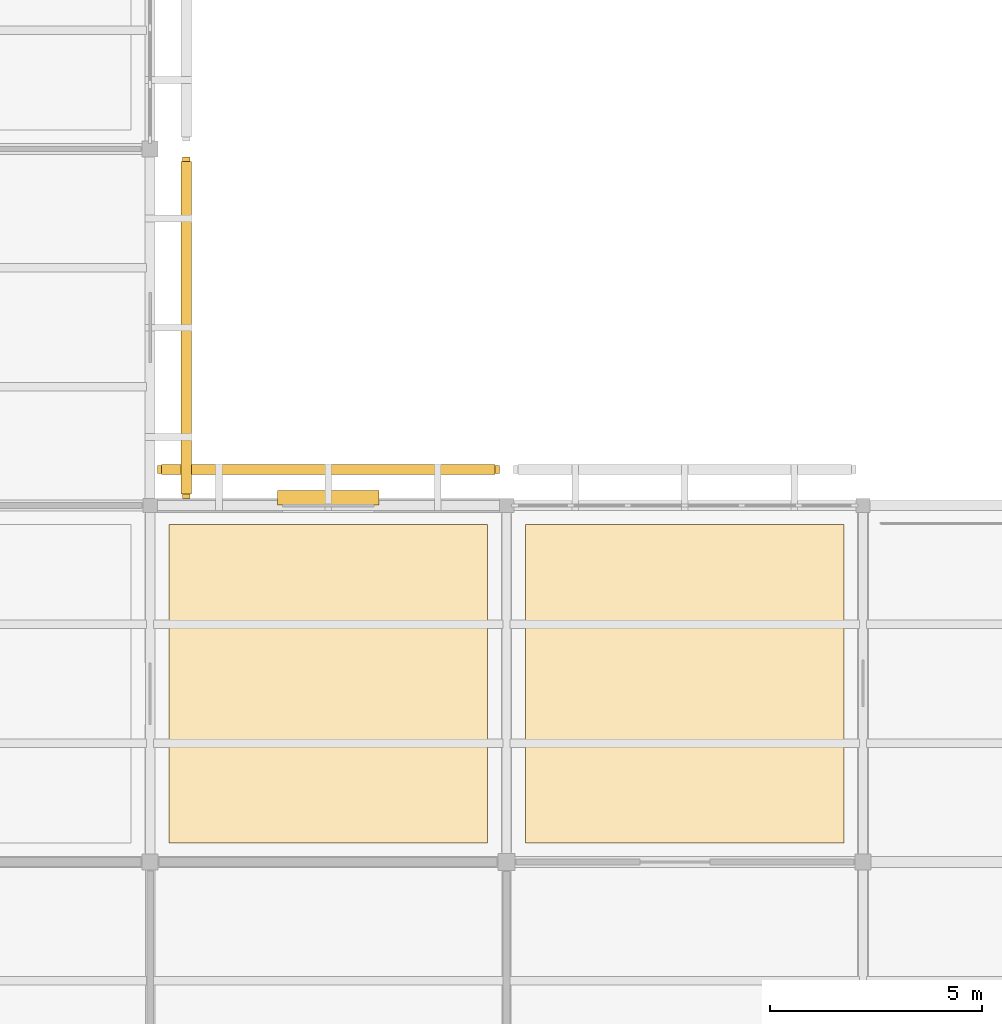
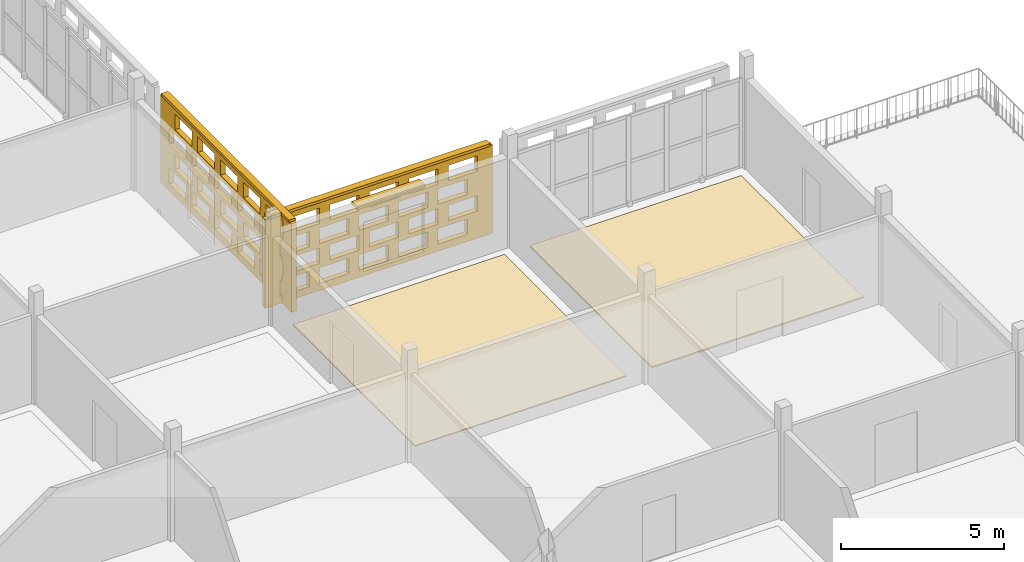
# One storey, part 104 of 140: 4 coverings, 3 shading devices, 40 openings.
"""IFC4 building model written with IfcOpenShell, lengths in metres."""

from ifc_helpers import new_model, si_unit, direction, frame, frame_2d, origin, origin_2d, place, context, subcontext, project, spatial, rectangle, extrude, material, layer, layer_set, type_object, element, save


model = new_model("IFC4")

# Units and contexts
model_context = context("Model", 3, precision=1e-05, world=origin(), true_north=direction((0.0, 1.0)))
body_context = subcontext(model_context, "Body", "Model", "MODEL_VIEW")
ifc_project = project(units=[si_unit("LENGTHUNIT", "METRE"), si_unit("AREAUNIT", "SQUARE_METRE"), si_unit("VOLUMEUNIT", "CUBIC_METRE"), si_unit("PLANEANGLEUNIT", "RADIAN"), si_unit("MASSUNIT", "GRAM", prefix="KILO")], contexts=[model_context])

# Site, building, storey
site_placement = place(None, origin())
site = spatial("IfcSite", under=ifc_project, at=site_placement, CompositionType="ELEMENT")
building_placement = place(site_placement, origin())
building = spatial("IfcBuilding", under=site, at=building_placement, Name="Varnapada Polytechnic", CompositionType="ELEMENT")
storey_placement = place(building_placement, frame((0.0, 0.0, 13.800048828125)))
storey = spatial("IfcBuildingStorey", under=building, at=storey_placement, Name="L03", CompositionType="ELEMENT", Elevation=13.800048828125)

# Coverings
ifc_material_1 = material(Name="End-Grain Timber Studio Block Flooring", Category="wood")
ifc_layer_1 = layer(ifc_material_1, 0.054931640625)
ifc_layer_set_1 = layer_set([ifc_layer_1], Name="End-Grain Timber Studio Block Flooring")
covering_type_1 = type_object("IfcCoveringType", Name="Floor Finish FLR-04", PredefinedType="FLOORING", material=ifc_layer_set_1)
covering_1_placement = place(storey_placement, frame((46.199951171875, 37.800048828125, 0.0), z_axis=(0.0, 0.0, 1.0), x_axis=(1.0, 0.0, 0.0)))
element("IfcCovering", 1, at=covering_1_placement, inside=storey, type_object=covering_type_1, Name="L03 floor finish panel (6,5)", PredefinedType="FLOORING", context=body_context, shape_type="SweptSolid", body=[
    extrude(rectangle(XDim=7.5, YDim=7.5, at=origin_2d()), origin(), (0.0, 0.0, 1.0), 0.054931640625),
])
ifc_material_2 = material(Name="Acoustic Rubber Seminar Flooring")
ifc_layer_2 = layer(ifc_material_2, 0.0400390625)
ifc_layer_set_2 = layer_set([ifc_layer_2], Name="Acoustic Rubber Seminar Flooring")
covering_type_2 = type_object("IfcCoveringType", Name="Floor Finish FLR-06", PredefinedType="FLOORING", material=ifc_layer_set_2)
covering_2_placement = place(storey_placement, frame((37.800048828125, 37.800048828125, 0.0), z_axis=(0.0, 0.0, 1.0), x_axis=(1.0, 0.0, 0.0)))
element("IfcCovering", 2, at=covering_2_placement, inside=storey, type_object=covering_type_2, Name="L03 floor finish panel (5,5)", PredefinedType="FLOORING", context=body_context, shape_type="SweptSolid", body=[
    extrude(rectangle(XDim=7.5, YDim=7.5, at=origin_2d()), origin(), (0.0, 0.0, 1.0), 0.0400390625),
])

# Shading device
ifc_material_3 = material(Name="Anodised aluminium", Category="aluminium")
ifc_layer_3 = layer(ifc_material_3, 0.35009765625)
ifc_layer_set_3 = layer_set([ifc_layer_3], Name="Anodised aluminium")
shading_device_type_1 = type_object("IfcShadingDeviceType", Name="Solar Louvre LVR-01", PredefinedType="JALOUSIE", material=ifc_layer_set_3)
shading_device_1_placement = place(storey_placement, frame((37.800048828125, 42.179931640625, 3.159912109375), z_axis=(0.0, 0.0, 1.0), x_axis=(1.0, 0.0, 0.0)))
element("IfcShadingDevice", 3, at=shading_device_1_placement, inside=storey, type_object=shading_device_type_1, Name="L03 aluminium sun louvre 34", PredefinedType="JALOUSIE", context=body_context, shape_type="SweptSolid", body=[
    extrude(rectangle(XDim=2.39990234375, YDim=0.340087890625, at=origin_2d()), origin(), (0.0, 0.0, 1.0), 0.1201171875),
])

# Covering, openings
ifc_material_4 = material(Name="Earth-toned architectural terracotta screen block", Category="masonry")
ifc_layer_4 = layer(ifc_material_4, 0.1201171875)
ifc_layer_set_4 = layer_set([ifc_layer_4], Name="Earth-toned architectural terracotta screen block")
covering_type_3 = type_object("IfcCoveringType", Name="Terracotta Screen Cladding CLD-01", PredefinedType="CLADDING", material=ifc_layer_set_4)
covering_3_placement = place(storey_placement, frame((34.449951171875, 50.2099609375, 0.0), z_axis=(0.0, 0.0, 1.0), x_axis=(0.0, -1.0, 0.0)))
covering_3 = element("IfcCovering", 4, at=covering_3_placement, inside=storey, type_object=covering_type_3, Name="L03 perforated terracotta block screen (22)", PredefinedType="CLADDING", context=body_context, shape_type="SweptSolid", body=[
    extrude(rectangle(XDim=8.0400390625, YDim=0.179931640625, at=frame_2d((4.02001953125, 0.0))), origin(), (0.0, 0.0, 1.0), 3.320068359375),
])
opening_1_placement = place(covering_3_placement, frame((0.52001953125, 0.0, 0.265625)))
element("IfcOpeningElement", 5, at=opening_1_placement, cuts=covering_3, Name="Screen perforation TBS-L03-021.1", PredefinedType="OPENING", context=body_context, shape_type="SweptSolid", body=[
    extrude(rectangle(XDim=1.0400390625, YDim=0.5810546875, at=frame_2d((0.52001953125, 0.29052734375))), frame((0.0, 0.099853515625, 0.0), z_axis=(0.0, -1.0, 0.0), x_axis=(1.0, 0.0, 0.0)), (0.0, 0.0, 1.0), 0.199951171875),
])
opening_2_placement = place(covering_3_placement, frame((1.919921875, 0.0, 0.265625)))
element("IfcOpeningElement", 6, at=opening_2_placement, cuts=covering_3, Name="Screen perforation TBS-L03-021.2", PredefinedType="OPENING", context=body_context, shape_type="SweptSolid", body=[
    extrude(rectangle(XDim=1.0400390625, YDim=0.5810546875, at=frame_2d((0.52001953125, 0.29052734375))), frame((0.0, 0.099853515625, 0.0), z_axis=(0.0, -1.0, 0.0), x_axis=(1.0, 0.0, 0.0)), (0.0, 0.0, 1.0), 0.199951171875),
])
opening_3_placement = place(covering_3_placement, frame((3.320068359375, 0.0, 0.265625)))
element("IfcOpeningElement", 7, at=opening_3_placement, cuts=covering_3, Name="Screen perforation TBS-L03-021.3", PredefinedType="OPENING", context=body_context, shape_type="SweptSolid", body=[
    extrude(rectangle(XDim=1.0400390625, YDim=0.5810546875, at=frame_2d((0.52001953125, 0.29052734375))), frame((0.0, 0.099853515625, 0.0), z_axis=(0.0, -1.0, 0.0), x_axis=(1.0, 0.0, 0.0)), (0.0, 0.0, 1.0), 0.199951171875),
])
opening_4_placement = place(covering_3_placement, frame((4.719970703125, 0.0, 0.265625)))
element("IfcOpeningElement", 8, at=opening_4_placement, cuts=covering_3, Name="Screen perforation TBS-L03-021.4", PredefinedType="OPENING", context=body_context, shape_type="SweptSolid", body=[
    extrude(rectangle(XDim=1.0400390625, YDim=0.5810546875, at=frame_2d((0.52001953125, 0.29052734375))), frame((0.0, 0.099853515625, 0.0), z_axis=(0.0, -1.0, 0.0), x_axis=(1.0, 0.0, 0.0)), (0.0, 0.0, 1.0), 0.199951171875),
])
opening_5_placement = place(covering_3_placement, frame((6.1201171875, 0.0, 0.265625)))
element("IfcOpeningElement", 9, at=opening_5_placement, cuts=covering_3, Name="Screen perforation TBS-L03-021.5", PredefinedType="OPENING", context=body_context, shape_type="SweptSolid", body=[
    extrude(rectangle(XDim=1.0400390625, YDim=0.5810546875, at=frame_2d((0.52001953125, 0.29052734375))), frame((0.0, 0.099853515625, 0.0), z_axis=(0.0, -1.0, 0.0), x_axis=(1.0, 0.0, 0.0)), (0.0, 0.0, 1.0), 0.199951171875),
])
opening_6_placement = place(covering_3_placement, frame((0.8798828125, 0.0, 1.0126953125)))
element("IfcOpeningElement", 10, at=opening_6_placement, cuts=covering_3, Name="Screen perforation TBS-L03-021.6", PredefinedType="OPENING", context=body_context, shape_type="SweptSolid", body=[
    extrude(rectangle(XDim=1.0400390625, YDim=0.5810546875, at=frame_2d((0.52001953125, 0.29052734375))), frame((0.0, 0.099853515625, 0.0), z_axis=(0.0, -1.0, 0.0), x_axis=(1.0, 0.0, 0.0)), (0.0, 0.0, 1.0), 0.199951171875),
])
opening_7_placement = place(covering_3_placement, frame((2.280029296875, 0.0, 1.0126953125)))
element("IfcOpeningElement", 11, at=opening_7_placement, cuts=covering_3, Name="Screen perforation TBS-L03-021.7", PredefinedType="OPENING", context=body_context, shape_type="SweptSolid", body=[
    extrude(rectangle(XDim=1.0400390625, YDim=0.5810546875, at=frame_2d((0.52001953125, 0.29052734375))), frame((0.0, 0.099853515625, 0.0), z_axis=(0.0, -1.0, 0.0), x_axis=(1.0, 0.0, 0.0)), (0.0, 0.0, 1.0), 0.199951171875),
])
opening_8_placement = place(covering_3_placement, frame((3.679931640625, 0.0, 1.0126953125)))
element("IfcOpeningElement", 12, at=opening_8_placement, cuts=covering_3, Name="Screen perforation TBS-L03-021.8", PredefinedType="OPENING", context=body_context, shape_type="SweptSolid", body=[
    extrude(rectangle(XDim=1.0400390625, YDim=0.5810546875, at=frame_2d((0.52001953125, 0.29052734375))), frame((0.0, 0.099853515625, 0.0), z_axis=(0.0, -1.0, 0.0), x_axis=(1.0, 0.0, 0.0)), (0.0, 0.0, 1.0), 0.199951171875),
])
opening_9_placement = place(covering_3_placement, frame((5.080078125, 0.0, 1.0126953125)))
element("IfcOpeningElement", 13, at=opening_9_placement, cuts=covering_3, Name="Screen perforation TBS-L03-021.9", PredefinedType="OPENING", context=body_context, shape_type="SweptSolid", body=[
    extrude(rectangle(XDim=1.0400390625, YDim=0.5810546875, at=frame_2d((0.52001953125, 0.29052734375))), frame((0.0, 0.099853515625, 0.0), z_axis=(0.0, -1.0, 0.0), x_axis=(1.0, 0.0, 0.0)), (0.0, 0.0, 1.0), 0.199951171875),
])
opening_10_placement = place(covering_3_placement, frame((6.47998046875, 0.0, 1.0126953125)))
element("IfcOpeningElement", 14, at=opening_10_placement, cuts=covering_3, Name="Screen perforation TBS-L03-021.10", PredefinedType="OPENING", context=body_context, shape_type="SweptSolid", body=[
    extrude(rectangle(XDim=1.0400390625, YDim=0.5810546875, at=frame_2d((0.52001953125, 0.29052734375))), frame((0.0, 0.099853515625, 0.0), z_axis=(0.0, -1.0, 0.0), x_axis=(1.0, 0.0, 0.0)), (0.0, 0.0, 1.0), 0.199951171875),
])
opening_11_placement = place(covering_3_placement, frame((0.52001953125, 0.0, 1.759521484375)))
element("IfcOpeningElement", 15, at=opening_11_placement, cuts=covering_3, Name="Screen perforation TBS-L03-021.11", PredefinedType="OPENING", context=body_context, shape_type="SweptSolid", body=[
    extrude(rectangle(XDim=1.0400390625, YDim=0.5810546875, at=frame_2d((0.52001953125, 0.29052734375))), frame((0.0, 0.099853515625, 0.0), z_axis=(0.0, -1.0, 0.0), x_axis=(1.0, 0.0, 0.0)), (0.0, 0.0, 1.0), 0.199951171875),
])
opening_12_placement = place(covering_3_placement, frame((1.919921875, 0.0, 1.759521484375)))
element("IfcOpeningElement", 16, at=opening_12_placement, cuts=covering_3, Name="Screen perforation TBS-L03-021.12", PredefinedType="OPENING", context=body_context, shape_type="SweptSolid", body=[
    extrude(rectangle(XDim=1.0400390625, YDim=0.5810546875, at=frame_2d((0.52001953125, 0.29052734375))), frame((0.0, 0.099853515625, 0.0), z_axis=(0.0, -1.0, 0.0), x_axis=(1.0, 0.0, 0.0)), (0.0, 0.0, 1.0), 0.199951171875),
])
opening_13_placement = place(covering_3_placement, frame((3.320068359375, 0.0, 1.759521484375)))
element("IfcOpeningElement", 17, at=opening_13_placement, cuts=covering_3, Name="Screen perforation TBS-L03-021.13", PredefinedType="OPENING", context=body_context, shape_type="SweptSolid", body=[
    extrude(rectangle(XDim=1.0400390625, YDim=0.5810546875, at=frame_2d((0.52001953125, 0.29052734375))), frame((0.0, 0.099853515625, 0.0), z_axis=(0.0, -1.0, 0.0), x_axis=(1.0, 0.0, 0.0)), (0.0, 0.0, 1.0), 0.199951171875),
])
opening_14_placement = place(covering_3_placement, frame((4.719970703125, 0.0, 1.759521484375)))
element("IfcOpeningElement", 18, at=opening_14_placement, cuts=covering_3, Name="Screen perforation TBS-L03-021.14", PredefinedType="OPENING", context=body_context, shape_type="SweptSolid", body=[
    extrude(rectangle(XDim=1.0400390625, YDim=0.5810546875, at=frame_2d((0.52001953125, 0.29052734375))), frame((0.0, 0.099853515625, 0.0), z_axis=(0.0, -1.0, 0.0), x_axis=(1.0, 0.0, 0.0)), (0.0, 0.0, 1.0), 0.199951171875),
])
opening_15_placement = place(covering_3_placement, frame((6.1201171875, 0.0, 1.759521484375)))
element("IfcOpeningElement", 19, at=opening_15_placement, cuts=covering_3, Name="Screen perforation TBS-L03-021.15", PredefinedType="OPENING", context=body_context, shape_type="SweptSolid", body=[
    extrude(rectangle(XDim=1.0400390625, YDim=0.5810546875, at=frame_2d((0.52001953125, 0.29052734375))), frame((0.0, 0.099853515625, 0.0), z_axis=(0.0, -1.0, 0.0), x_axis=(1.0, 0.0, 0.0)), (0.0, 0.0, 1.0), 0.199951171875),
])
opening_16_placement = place(covering_3_placement, frame((0.8798828125, 0.0, 2.506591796875)))
element("IfcOpeningElement", 20, at=opening_16_placement, cuts=covering_3, Name="Screen perforation TBS-L03-021.16", PredefinedType="OPENING", context=body_context, shape_type="SweptSolid", body=[
    extrude(rectangle(XDim=1.0400390625, YDim=0.5810546875, at=frame_2d((0.52001953125, 0.29052734375))), frame((0.0, 0.099853515625, 0.0), z_axis=(0.0, -1.0, 0.0), x_axis=(1.0, 0.0, 0.0)), (0.0, 0.0, 1.0), 0.199951171875),
])
opening_17_placement = place(covering_3_placement, frame((2.280029296875, 0.0, 2.506591796875)))
element("IfcOpeningElement", 21, at=opening_17_placement, cuts=covering_3, Name="Screen perforation TBS-L03-021.17", PredefinedType="OPENING", context=body_context, shape_type="SweptSolid", body=[
    extrude(rectangle(XDim=1.0400390625, YDim=0.5810546875, at=frame_2d((0.52001953125, 0.29052734375))), frame((0.0, 0.099853515625, 0.0), z_axis=(0.0, -1.0, 0.0), x_axis=(1.0, 0.0, 0.0)), (0.0, 0.0, 1.0), 0.199951171875),
])
opening_18_placement = place(covering_3_placement, frame((3.679931640625, 0.0, 2.506591796875)))
element("IfcOpeningElement", 22, at=opening_18_placement, cuts=covering_3, Name="Screen perforation TBS-L03-021.18", PredefinedType="OPENING", context=body_context, shape_type="SweptSolid", body=[
    extrude(rectangle(XDim=1.0400390625, YDim=0.5810546875, at=frame_2d((0.52001953125, 0.29052734375))), frame((0.0, 0.099853515625, 0.0), z_axis=(0.0, -1.0, 0.0), x_axis=(1.0, 0.0, 0.0)), (0.0, 0.0, 1.0), 0.199951171875),
])
opening_19_placement = place(covering_3_placement, frame((5.080078125, 0.0, 2.506591796875)))
element("IfcOpeningElement", 23, at=opening_19_placement, cuts=covering_3, Name="Screen perforation TBS-L03-021.19", PredefinedType="OPENING", context=body_context, shape_type="SweptSolid", body=[
    extrude(rectangle(XDim=1.0400390625, YDim=0.5810546875, at=frame_2d((0.52001953125, 0.29052734375))), frame((0.0, 0.099853515625, 0.0), z_axis=(0.0, -1.0, 0.0), x_axis=(1.0, 0.0, 0.0)), (0.0, 0.0, 1.0), 0.199951171875),
])
opening_20_placement = place(covering_3_placement, frame((6.47998046875, 0.0, 2.506591796875)))
element("IfcOpeningElement", 24, at=opening_20_placement, cuts=covering_3, Name="Screen perforation TBS-L03-021.20", PredefinedType="OPENING", context=body_context, shape_type="SweptSolid", body=[
    extrude(rectangle(XDim=1.0400390625, YDim=0.5810546875, at=frame_2d((0.52001953125, 0.29052734375))), frame((0.0, 0.099853515625, 0.0), z_axis=(0.0, -1.0, 0.0), x_axis=(1.0, 0.0, 0.0)), (0.0, 0.0, 1.0), 0.199951171875),
])

covering_4_placement = place(storey_placement, frame((33.77001953125, 42.85009765625, 0.0), z_axis=(0.0, 0.0, 1.0), x_axis=(1.0, 0.0, 0.0)))
covering_4 = element("IfcCovering", 25, at=covering_4_placement, inside=storey, type_object=covering_type_3, Name="L03 perforated terracotta block screen (34)", PredefinedType="CLADDING", context=body_context, shape_type="SweptSolid", body=[
    extrude(rectangle(XDim=8.06005859375, YDim=0.179931640625, at=frame_2d((4.030029296875, 0.0))), origin(), (0.0, 0.0, 1.0), 3.320068359375),
])
opening_21_placement = place(covering_4_placement, frame((0.530029296875, 0.0, 0.265625)))
element("IfcOpeningElement", 26, at=opening_21_placement, cuts=covering_4, Name="Screen perforation TBS-L03-033.1", PredefinedType="OPENING", context=body_context, shape_type="SweptSolid", body=[
    extrude(rectangle(XDim=1.0400390625, YDim=0.5810546875, at=frame_2d((0.52001953125, 0.29052734375))), frame((0.0, 0.099853515625, 0.0), z_axis=(0.0, -1.0, 0.0), x_axis=(1.0, 0.0, 0.0)), (0.0, 0.0, 1.0), 0.199951171875),
])
opening_22_placement = place(covering_4_placement, frame((1.929931640625, 0.0, 0.265625)))
element("IfcOpeningElement", 27, at=opening_22_placement, cuts=covering_4, Name="Screen perforation TBS-L03-033.2", PredefinedType="OPENING", context=body_context, shape_type="SweptSolid", body=[
    extrude(rectangle(XDim=1.0400390625, YDim=0.5810546875, at=frame_2d((0.52001953125, 0.29052734375))), frame((0.0, 0.099853515625, 0.0), z_axis=(0.0, -1.0, 0.0), x_axis=(1.0, 0.0, 0.0)), (0.0, 0.0, 1.0), 0.199951171875),
])
opening_23_placement = place(covering_4_placement, frame((3.330078125, 0.0, 0.265625)))
element("IfcOpeningElement", 28, at=opening_23_placement, cuts=covering_4, Name="Screen perforation TBS-L03-033.3", PredefinedType="OPENING", context=body_context, shape_type="SweptSolid", body=[
    extrude(rectangle(XDim=1.0400390625, YDim=0.5810546875, at=frame_2d((0.52001953125, 0.29052734375))), frame((0.0, 0.099853515625, 0.0), z_axis=(0.0, -1.0, 0.0), x_axis=(1.0, 0.0, 0.0)), (0.0, 0.0, 1.0), 0.199951171875),
])
opening_24_placement = place(covering_4_placement, frame((4.72998046875, 0.0, 0.265625)))
element("IfcOpeningElement", 29, at=opening_24_placement, cuts=covering_4, Name="Screen perforation TBS-L03-033.4", PredefinedType="OPENING", context=body_context, shape_type="SweptSolid", body=[
    extrude(rectangle(XDim=1.0400390625, YDim=0.5810546875, at=frame_2d((0.52001953125, 0.29052734375))), frame((0.0, 0.099853515625, 0.0), z_axis=(0.0, -1.0, 0.0), x_axis=(1.0, 0.0, 0.0)), (0.0, 0.0, 1.0), 0.199951171875),
])
opening_25_placement = place(covering_4_placement, frame((6.1298828125, 0.0, 0.265625)))
element("IfcOpeningElement", 30, at=opening_25_placement, cuts=covering_4, Name="Screen perforation TBS-L03-033.5", PredefinedType="OPENING", context=body_context, shape_type="SweptSolid", body=[
    extrude(rectangle(XDim=1.0400390625, YDim=0.5810546875, at=frame_2d((0.52001953125, 0.29052734375))), frame((0.0, 0.099853515625, 0.0), z_axis=(0.0, -1.0, 0.0), x_axis=(1.0, 0.0, 0.0)), (0.0, 0.0, 1.0), 0.199951171875),
])
opening_26_placement = place(covering_4_placement, frame((0.889892578125, 0.0, 1.0126953125)))
element("IfcOpeningElement", 31, at=opening_26_placement, cuts=covering_4, Name="Screen perforation TBS-L03-033.6", PredefinedType="OPENING", context=body_context, shape_type="SweptSolid", body=[
    extrude(rectangle(XDim=1.0400390625, YDim=0.5810546875, at=frame_2d((0.52001953125, 0.29052734375))), frame((0.0, 0.099853515625, 0.0), z_axis=(0.0, -1.0, 0.0), x_axis=(1.0, 0.0, 0.0)), (0.0, 0.0, 1.0), 0.199951171875),
])
opening_27_placement = place(covering_4_placement, frame((2.2900390625, 0.0, 1.0126953125)))
element("IfcOpeningElement", 32, at=opening_27_placement, cuts=covering_4, Name="Screen perforation TBS-L03-033.7", PredefinedType="OPENING", context=body_context, shape_type="SweptSolid", body=[
    extrude(rectangle(XDim=1.0400390625, YDim=0.5810546875, at=frame_2d((0.52001953125, 0.29052734375))), frame((0.0, 0.099853515625, 0.0), z_axis=(0.0, -1.0, 0.0), x_axis=(1.0, 0.0, 0.0)), (0.0, 0.0, 1.0), 0.199951171875),
])
opening_28_placement = place(covering_4_placement, frame((3.68994140625, 0.0, 1.0126953125)))
element("IfcOpeningElement", 33, at=opening_28_placement, cuts=covering_4, Name="Screen perforation TBS-L03-033.8", PredefinedType="OPENING", context=body_context, shape_type="SweptSolid", body=[
    extrude(rectangle(XDim=1.0400390625, YDim=0.5810546875, at=frame_2d((0.52001953125, 0.29052734375))), frame((0.0, 0.099853515625, 0.0), z_axis=(0.0, -1.0, 0.0), x_axis=(1.0, 0.0, 0.0)), (0.0, 0.0, 1.0), 0.199951171875),
])
opening_29_placement = place(covering_4_placement, frame((5.090087890625, 0.0, 1.0126953125)))
element("IfcOpeningElement", 34, at=opening_29_placement, cuts=covering_4, Name="Screen perforation TBS-L03-033.9", PredefinedType="OPENING", context=body_context, shape_type="SweptSolid", body=[
    extrude(rectangle(XDim=1.0400390625, YDim=0.5810546875, at=frame_2d((0.52001953125, 0.29052734375))), frame((0.0, 0.099853515625, 0.0), z_axis=(0.0, -1.0, 0.0), x_axis=(1.0, 0.0, 0.0)), (0.0, 0.0, 1.0), 0.199951171875),
])
opening_30_placement = place(covering_4_placement, frame((6.489990234375, 0.0, 1.0126953125)))
element("IfcOpeningElement", 35, at=opening_30_placement, cuts=covering_4, Name="Screen perforation TBS-L03-033.10", PredefinedType="OPENING", context=body_context, shape_type="SweptSolid", body=[
    extrude(rectangle(XDim=1.0400390625, YDim=0.5810546875, at=frame_2d((0.52001953125, 0.29052734375))), frame((0.0, 0.099853515625, 0.0), z_axis=(0.0, -1.0, 0.0), x_axis=(1.0, 0.0, 0.0)), (0.0, 0.0, 1.0), 0.199951171875),
])
opening_31_placement = place(covering_4_placement, frame((0.530029296875, 0.0, 1.759521484375)))
element("IfcOpeningElement", 36, at=opening_31_placement, cuts=covering_4, Name="Screen perforation TBS-L03-033.11", PredefinedType="OPENING", context=body_context, shape_type="SweptSolid", body=[
    extrude(rectangle(XDim=1.0400390625, YDim=0.5810546875, at=frame_2d((0.52001953125, 0.29052734375))), frame((0.0, 0.099853515625, 0.0), z_axis=(0.0, -1.0, 0.0), x_axis=(1.0, 0.0, 0.0)), (0.0, 0.0, 1.0), 0.199951171875),
])
opening_32_placement = place(covering_4_placement, frame((1.929931640625, 0.0, 1.759521484375)))
element("IfcOpeningElement", 37, at=opening_32_placement, cuts=covering_4, Name="Screen perforation TBS-L03-033.12", PredefinedType="OPENING", context=body_context, shape_type="SweptSolid", body=[
    extrude(rectangle(XDim=1.0400390625, YDim=0.5810546875, at=frame_2d((0.52001953125, 0.29052734375))), frame((0.0, 0.099853515625, 0.0), z_axis=(0.0, -1.0, 0.0), x_axis=(1.0, 0.0, 0.0)), (0.0, 0.0, 1.0), 0.199951171875),
])
opening_33_placement = place(covering_4_placement, frame((3.330078125, 0.0, 1.759521484375)))
element("IfcOpeningElement", 38, at=opening_33_placement, cuts=covering_4, Name="Screen perforation TBS-L03-033.13", PredefinedType="OPENING", context=body_context, shape_type="SweptSolid", body=[
    extrude(rectangle(XDim=1.0400390625, YDim=0.5810546875, at=frame_2d((0.52001953125, 0.29052734375))), frame((0.0, 0.099853515625, 0.0), z_axis=(0.0, -1.0, 0.0), x_axis=(1.0, 0.0, 0.0)), (0.0, 0.0, 1.0), 0.199951171875),
])
opening_34_placement = place(covering_4_placement, frame((4.72998046875, 0.0, 1.759521484375)))
element("IfcOpeningElement", 39, at=opening_34_placement, cuts=covering_4, Name="Screen perforation TBS-L03-033.14", PredefinedType="OPENING", context=body_context, shape_type="SweptSolid", body=[
    extrude(rectangle(XDim=1.0400390625, YDim=0.5810546875, at=frame_2d((0.52001953125, 0.29052734375))), frame((0.0, 0.099853515625, 0.0), z_axis=(0.0, -1.0, 0.0), x_axis=(1.0, 0.0, 0.0)), (0.0, 0.0, 1.0), 0.199951171875),
])
opening_35_placement = place(covering_4_placement, frame((6.1298828125, 0.0, 1.759521484375)))
element("IfcOpeningElement", 40, at=opening_35_placement, cuts=covering_4, Name="Screen perforation TBS-L03-033.15", PredefinedType="OPENING", context=body_context, shape_type="SweptSolid", body=[
    extrude(rectangle(XDim=1.0400390625, YDim=0.5810546875, at=frame_2d((0.52001953125, 0.29052734375))), frame((0.0, 0.099853515625, 0.0), z_axis=(0.0, -1.0, 0.0), x_axis=(1.0, 0.0, 0.0)), (0.0, 0.0, 1.0), 0.199951171875),
])
opening_36_placement = place(covering_4_placement, frame((0.889892578125, 0.0, 2.506591796875)))
element("IfcOpeningElement", 41, at=opening_36_placement, cuts=covering_4, Name="Screen perforation TBS-L03-033.16", PredefinedType="OPENING", context=body_context, shape_type="SweptSolid", body=[
    extrude(rectangle(XDim=1.0400390625, YDim=0.5810546875, at=frame_2d((0.52001953125, 0.29052734375))), frame((0.0, 0.099853515625, 0.0), z_axis=(0.0, -1.0, 0.0), x_axis=(1.0, 0.0, 0.0)), (0.0, 0.0, 1.0), 0.199951171875),
])
opening_37_placement = place(covering_4_placement, frame((2.2900390625, 0.0, 2.506591796875)))
element("IfcOpeningElement", 42, at=opening_37_placement, cuts=covering_4, Name="Screen perforation TBS-L03-033.17", PredefinedType="OPENING", context=body_context, shape_type="SweptSolid", body=[
    extrude(rectangle(XDim=1.0400390625, YDim=0.5810546875, at=frame_2d((0.52001953125, 0.29052734375))), frame((0.0, 0.099853515625, 0.0), z_axis=(0.0, -1.0, 0.0), x_axis=(1.0, 0.0, 0.0)), (0.0, 0.0, 1.0), 0.199951171875),
])
opening_38_placement = place(covering_4_placement, frame((3.68994140625, 0.0, 2.506591796875)))
element("IfcOpeningElement", 43, at=opening_38_placement, cuts=covering_4, Name="Screen perforation TBS-L03-033.18", PredefinedType="OPENING", context=body_context, shape_type="SweptSolid", body=[
    extrude(rectangle(XDim=1.0400390625, YDim=0.5810546875, at=frame_2d((0.52001953125, 0.29052734375))), frame((0.0, 0.099853515625, 0.0), z_axis=(0.0, -1.0, 0.0), x_axis=(1.0, 0.0, 0.0)), (0.0, 0.0, 1.0), 0.199951171875),
])
opening_39_placement = place(covering_4_placement, frame((5.090087890625, 0.0, 2.506591796875)))
element("IfcOpeningElement", 44, at=opening_39_placement, cuts=covering_4, Name="Screen perforation TBS-L03-033.19", PredefinedType="OPENING", context=body_context, shape_type="SweptSolid", body=[
    extrude(rectangle(XDim=1.0400390625, YDim=0.5810546875, at=frame_2d((0.52001953125, 0.29052734375))), frame((0.0, 0.099853515625, 0.0), z_axis=(0.0, -1.0, 0.0), x_axis=(1.0, 0.0, 0.0)), (0.0, 0.0, 1.0), 0.199951171875),
])
opening_40_placement = place(covering_4_placement, frame((6.489990234375, 0.0, 2.506591796875)))
element("IfcOpeningElement", 45, at=opening_40_placement, cuts=covering_4, Name="Screen perforation TBS-L03-033.20", PredefinedType="OPENING", context=body_context, shape_type="SweptSolid", body=[
    extrude(rectangle(XDim=1.0400390625, YDim=0.5810546875, at=frame_2d((0.52001953125, 0.29052734375))), frame((0.0, 0.099853515625, 0.0), z_axis=(0.0, -1.0, 0.0), x_axis=(1.0, 0.0, 0.0)), (0.0, 0.0, 1.0), 0.199951171875),
])

# Shading devices
ifc_layer_5 = layer(ifc_material_4, 0.179931640625)
ifc_layer_set_5 = layer_set([ifc_layer_5], Name="Earth-toned architectural terracotta screen block")
shading_device_type_2 = type_object("IfcShadingDeviceType", Name="Terracotta Screen SCR-01", PredefinedType="USERDEFINED", material=ifc_layer_set_5)
shading_device_2_placement = place(storey_placement, frame((34.449951171875, 46.18994140625, 3.309814453125), z_axis=(0.0, 0.0, 1.0), x_axis=(0.0, -1.0, 0.0)))
element("IfcShadingDevice", 46, at=shading_device_2_placement, inside=storey, type_object=shading_device_type_2, Name="L03 perforated terracotta screen hood 357", ObjectType="SCREEN", PredefinedType="USERDEFINED", context=body_context, shape_type="SweptSolid", body=[
    extrude(rectangle(XDim=7.840087890625, YDim=0.239990234375, at=origin_2d()), origin(), (0.0, 0.0, 1.0), 0.10009765625),
])
shading_device_3_placement = place(storey_placement, frame((37.800048828125, 42.85009765625, 3.309814453125), z_axis=(0.0, 0.0, 1.0), x_axis=(1.0, 0.0, 0.0)))
element("IfcShadingDevice", 47, at=shading_device_3_placement, inside=storey, type_object=shading_device_type_2, Name="L03 perforated terracotta screen hood 369", ObjectType="SCREEN", PredefinedType="USERDEFINED", context=body_context, shape_type="SweptSolid", body=[
    extrude(rectangle(XDim=7.860107421875, YDim=0.239990234375, at=origin_2d()), origin(), (0.0, 0.0, 1.0), 0.10009765625),
])

save(model, "model.ifc")
